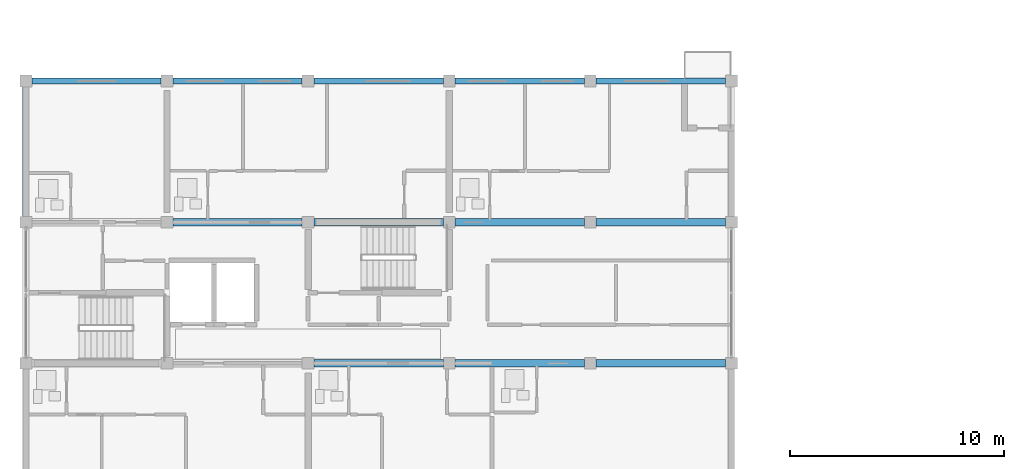
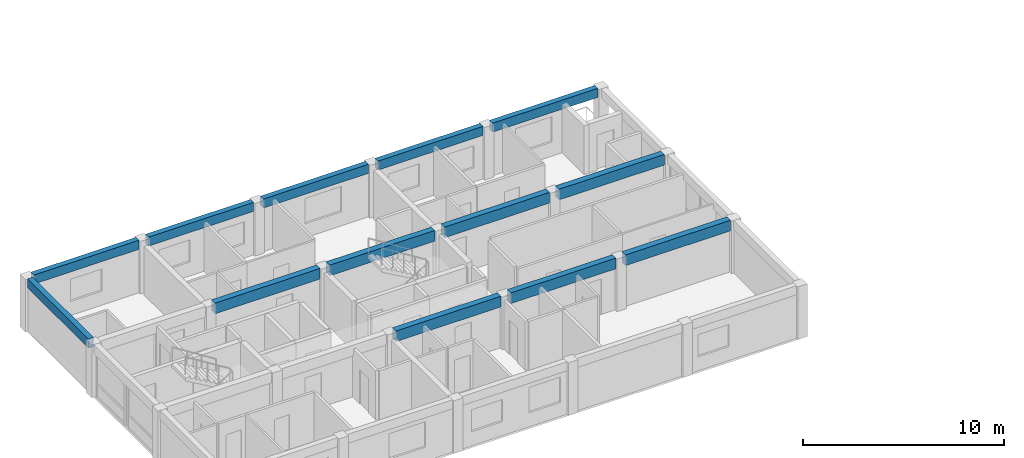
# One storey, part 15 of 46: 13 beams.
"""IFC4 building model written with IfcOpenShell, lengths in metres."""

from ifc_helpers import new_model, si_unit, direction, frame, origin, origin_2d, place, context, subcontext, project, spatial, rectangle, extrude, material, material_profile, profile_set, type_object, element, save


model = new_model("IFC4")

# Units and contexts
model_context = context("Model", 3, precision=1e-05, world=origin(), true_north=direction((0.0, 1.0)))
body_context = subcontext(model_context, "Body", "Model", "MODEL_VIEW")
ifc_project = project(units=[si_unit("LENGTHUNIT", "METRE"), si_unit("AREAUNIT", "SQUARE_METRE"), si_unit("VOLUMEUNIT", "CUBIC_METRE"), si_unit("PLANEANGLEUNIT", "RADIAN"), si_unit("MASSUNIT", "GRAM", prefix="KILO")], contexts=[model_context])

# Site, building, storey
site_placement = place(None, origin())
site = spatial("IfcSite", under=ifc_project, at=site_placement, CompositionType="ELEMENT")
building_placement = place(site_placement, origin())
building = spatial("IfcBuilding", under=site, at=building_placement, Name="Kernevlak Ridge Housing Community", CompositionType="ELEMENT")
storey_placement = place(building_placement, frame((0.0, 0.0, 27.60009765625)))
storey = spatial("IfcBuildingStorey", under=building, at=storey_placement, Name="L08", CompositionType="ELEMENT", Elevation=27.60009765625)

# Beams
ifc_material = material(Name="Concrete C35/45", Category="concrete")
ifc_material_profile_1 = material_profile(ifc_material, rectangle(XDim=0.35009765625, YDim=0.64990234375, at=origin_2d()), Name="RC 350x650")
ifc_profile_set_1 = profile_set([ifc_material_profile_1], Name="Concrete C35/45")
beam_type_1 = type_object("IfcBeamType", Name="B-02", PredefinedType="BEAM", material=ifc_profile_set_1)
for number, where, z_axis, x_axis, name in (
    (1, (29.074951171875, 82.60009765625, 2.875), (1.0, 0.0, 0.0), (0.0, 1.0, 0.0), "Beam B-02 L08 272"),
    (2, (35.675048828125, 82.60009765625, 2.875), (1.0, 0.0, 0.0), (0.0, 1.0, 0.0), "Beam B-02 L08 273"),
    (3, (42.27490234375, 82.60009765625, 2.875), (1.0, 0.0, 0.0), (0.0, 1.0, 0.0), "Beam B-02 L08 274"),
):
    element("IfcBeam", number, at=place(storey_placement, frame(where, z_axis=z_axis, x_axis=x_axis)), inside=storey, type_object=beam_type_1, Name=name, PredefinedType="BEAM", context=body_context, shape_type="SweptSolid", body=[
        extrude(rectangle(XDim=0.35009765625, YDim=0.64990234375, at=origin_2d()), origin(), (0.0, 0.0, 1.0), 6.050048828125),
    ])
beam_1_placement = place(storey_placement, frame((22.47509765625, 89.199951171875, 2.875), z_axis=(1.0, 0.0, 0.0), x_axis=(0.0, 1.0, 0.0)))
element("IfcBeam", 4, at=beam_1_placement, inside=storey, type_object=beam_type_1, Name="Beam B-02 L08 276", PredefinedType="BEAM", context=body_context, shape_type="SweptSolid", body=[
    extrude(rectangle(XDim=0.35009765625, YDim=0.64990234375, at=origin_2d()), origin(), (0.0, 0.0, 1.0), 6.0498046875),
])
for number, where, z_axis, x_axis, name in (
    (5, (29.074951171875, 89.199951171875, 2.875), (1.0, 0.0, 0.0), (0.0, 1.0, 0.0), "Beam B-02 L08 277"),
    (6, (35.675048828125, 89.199951171875, 2.875), (1.0, 0.0, 0.0), (0.0, 1.0, 0.0), "Beam B-02 L08 278"),
    (7, (42.27490234375, 89.199951171875, 2.875), (1.0, 0.0, 0.0), (0.0, 1.0, 0.0), "Beam B-02 L08 279"),
):
    element("IfcBeam", number, at=place(storey_placement, frame(where, z_axis=z_axis, x_axis=x_axis)), inside=storey, type_object=beam_type_1, Name=name, PredefinedType="BEAM", context=body_context, shape_type="SweptSolid", body=[
        extrude(rectangle(XDim=0.35009765625, YDim=0.64990234375, at=origin_2d()), origin(), (0.0, 0.0, 1.0), 6.050048828125),
    ])
ifc_material_profile_2 = material_profile(ifc_material, rectangle(XDim=0.300048828125, YDim=0.550048828125, at=origin_2d()), Name="RC 300x550")
ifc_profile_set_2 = profile_set([ifc_material_profile_2], Name="Concrete C35/45")
beam_type_2 = type_object("IfcBeamType", Name="SP-01", PredefinedType="SPANDREL", material=ifc_profile_set_2)
beam_2_placement = place(storey_placement, frame((15.875, 95.800048828125, 2.9248046875), z_axis=(1.0, 0.0, 0.0), x_axis=(0.0, 1.0, 0.0)))
element("IfcBeam", 8, at=beam_2_placement, inside=storey, type_object=beam_type_2, Name="Beam SP-01 L08 280", PredefinedType="SPANDREL", context=body_context, shape_type="SweptSolid", body=[
    extrude(rectangle(XDim=0.300048828125, YDim=0.550048828125, at=origin_2d()), origin(), (0.0, 0.0, 1.0), 6.050048828125),
])
beam_3_placement = place(storey_placement, frame((22.47509765625, 95.800048828125, 2.9248046875), z_axis=(1.0, 0.0, 0.0), x_axis=(0.0, 1.0, 0.0)))
element("IfcBeam", 9, at=beam_3_placement, inside=storey, type_object=beam_type_2, Name="Beam SP-01 L08 281", PredefinedType="SPANDREL", context=body_context, shape_type="SweptSolid", body=[
    extrude(rectangle(XDim=0.300048828125, YDim=0.550048828125, at=origin_2d()), origin(), (0.0, 0.0, 1.0), 6.0498046875),
])
for number, where, z_axis, x_axis, name in (
    (10, (29.074951171875, 95.800048828125, 2.9248046875), (1.0, 0.0, 0.0), (0.0, 1.0, 0.0), "Beam SP-01 L08 282"),
    (11, (35.675048828125, 95.800048828125, 2.9248046875), (1.0, 0.0, 0.0), (0.0, 1.0, 0.0), "Beam SP-01 L08 283"),
    (12, (42.27490234375, 95.800048828125, 2.9248046875), (1.0, 0.0, 0.0), (0.0, 1.0, 0.0), "Beam SP-01 L08 284"),
):
    element("IfcBeam", number, at=place(storey_placement, frame(where, z_axis=z_axis, x_axis=x_axis)), inside=storey, type_object=beam_type_2, Name=name, PredefinedType="SPANDREL", context=body_context, shape_type="SweptSolid", body=[
        extrude(rectangle(XDim=0.300048828125, YDim=0.550048828125, at=origin_2d()), origin(), (0.0, 0.0, 1.0), 6.050048828125),
    ])
beam_4_placement = place(storey_placement, frame((15.60009765625, 89.47509765625, 2.9248046875), z_axis=(0.0, 1.0, 0.0), x_axis=(-1.0, 0.0, 0.0)))
element("IfcBeam", 13, at=beam_4_placement, inside=storey, type_object=beam_type_2, Name="Beam SP-01 L08 287", PredefinedType="SPANDREL", context=body_context, shape_type="SweptSolid", body=[
    extrude(rectangle(XDim=0.300048828125, YDim=0.550048828125, at=origin_2d()), origin(), (0.0, 0.0, 1.0), 6.0498046875),
])

save(model, "model.ifc")
